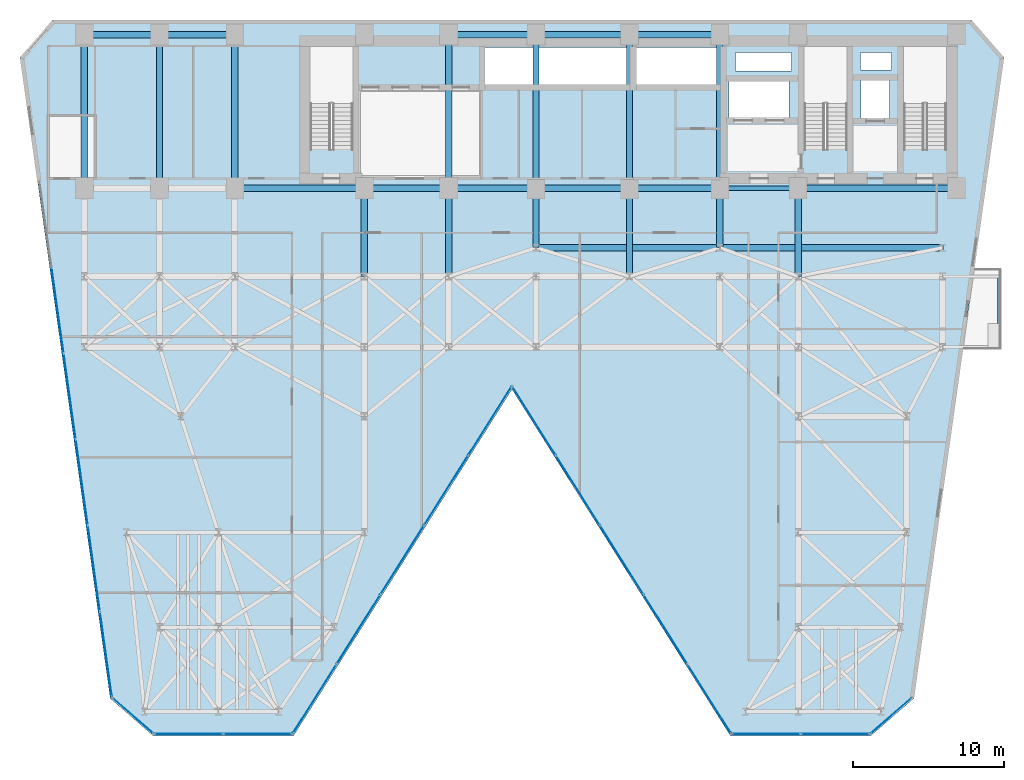
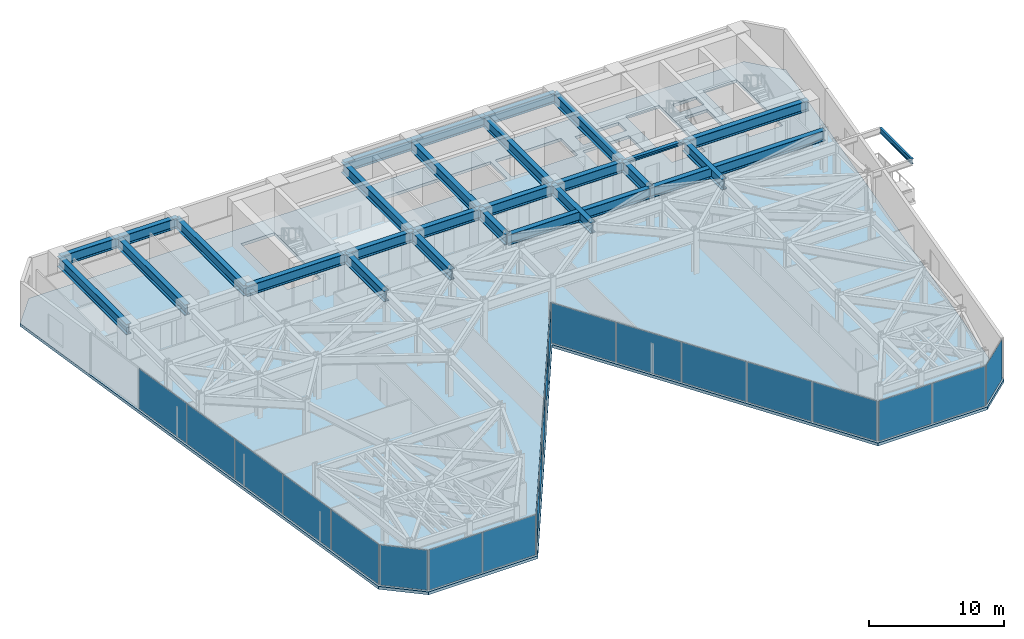
# One storey, part 18 of 24: 28 beams, 21 plates, 1 slab, 7 elements without a shape of their own.
"""IFC4 building model written with IfcOpenShell, lengths in metres."""

from ifc_helpers import new_model, si_unit, direction, frame, origin, origin_2d, place, context, subcontext, project, spatial, polyline, rectangle, i_section, outline, extrude, material, layer, layer_set, material_profile, profile_set, type_object, element, aggregate, save


model = new_model("IFC4")

# Units and contexts
model_context = context("Model", 3, precision=1e-05, world=origin(), true_north=direction((0.0, 1.0)))
body_context = subcontext(model_context, "Body", "Model", "MODEL_VIEW")
ifc_project = project(units=[si_unit("LENGTHUNIT", "METRE"), si_unit("AREAUNIT", "SQUARE_METRE"), si_unit("VOLUMEUNIT", "CUBIC_METRE"), si_unit("PLANEANGLEUNIT", "RADIAN"), si_unit("MASSUNIT", "GRAM", prefix="KILO")], contexts=[model_context])

# Site, building, storey
site_placement = place(None, origin())
site = spatial("IfcSite", under=ifc_project, at=site_placement, CompositionType="ELEMENT")
building_placement = place(site_placement, origin())
building = spatial("IfcBuilding", under=site, at=building_placement, Name="Kravanh Interchange Tower", CompositionType="ELEMENT")
storey_placement = place(building_placement, frame((0.0, 0.0, 77.5)))
storey = spatial("IfcBuildingStorey", under=building, at=storey_placement, Name="L18", CompositionType="ELEMENT", Elevation=77.5)

# Beams
ifc_material_1 = material(Name="Structural Steel S355", Category="steel")
ifc_material_profile_1 = material_profile(ifc_material_1, i_section(OverallWidth=0.41796875, OverallDepth=0.927001953125, WebThickness=0.019287109375, FlangeThickness=0.031982421875, FilletRadius=0.028076171875, at=origin_2d()), Name="W36X231")
ifc_profile_set_1 = profile_set([ifc_material_profile_1], Name="Structural Steel S355")
beam_type_1 = type_object("IfcBeamType", Name="Floor Beam W36X231 Structural Steel S355", PredefinedType="BEAM", material=ifc_profile_set_1)
beam_1_placement = place(storey_placement, frame((66.5, 37.35009765625, 3.276611328125), z_axis=(-1.0, 0.0, 0.0), x_axis=(0.0, -1.0, 0.0)))
element("IfcBeam", 1, at=beam_1_placement, inside=storey, type_object=beam_type_1, Name="L18 Primary Floor Girder 5", PredefinedType="BEAM", context=body_context, shape_type="SweptSolid", body=[
    extrude(i_section(OverallWidth=0.41796875, OverallDepth=0.927001953125, WebThickness=0.019287109375, FlangeThickness=0.031982421875, FilletRadius=0.028076171875, at=origin_2d()), origin(), (0.0, 0.0, 1.0), 10.5),
])
beam_2_placement = place(storey_placement, frame((56.0, 37.35009765625, 3.276611328125), z_axis=(0.0, -1.0, 0.0), x_axis=(1.0, 0.0, 0.0)))
element("IfcBeam", 2, at=beam_2_placement, inside=storey, type_object=beam_type_1, Name="L18 Primary Floor Girder 7", PredefinedType="BEAM", context=body_context, shape_type="SweptSolid", body=[
    extrude(i_section(OverallWidth=0.41796875, OverallDepth=0.927001953125, WebThickness=0.019287109375, FlangeThickness=0.031982421875, FilletRadius=0.028076171875, at=origin_2d()), origin(), (0.0, 0.0, 1.0), 5.85009765625),
])
beam_3_placement = place(storey_placement, frame((50.800048828125, 47.550048828125, 3.276611328125), z_axis=(-1.0, 0.0, 0.0), x_axis=(0.0, -1.0, 0.0)))
element("IfcBeam", 3, at=beam_3_placement, inside=storey, type_object=beam_type_1, Name="L18 Primary Floor Girder 8", PredefinedType="BEAM", context=body_context, shape_type="SweptSolid", body=[
    extrude(i_section(OverallWidth=0.41796875, OverallDepth=0.927001953125, WebThickness=0.019287109375, FlangeThickness=0.031982421875, FilletRadius=0.028076171875, at=origin_2d()), origin(), (0.0, 0.0, 1.0), 6.0),
])
beam_4_placement = place(storey_placement, frame((50.800048828125, 47.550048828125, 3.276611328125), z_axis=(0.0, -1.0, 0.0), x_axis=(1.0, 0.0, 0.0)))
element("IfcBeam", 4, at=beam_4_placement, inside=storey, type_object=beam_type_1, Name="L18 Primary Floor Girder 9", PredefinedType="BEAM", context=body_context, shape_type="SweptSolid", body=[
    extrude(i_section(OverallWidth=0.41796875, OverallDepth=0.927001953125, WebThickness=0.019287109375, FlangeThickness=0.031982421875, FilletRadius=0.028076171875, at=origin_2d()), origin(), (0.0, 0.0, 1.0), 10.199951171875),
])
beam_5_placement = place(storey_placement, frame((50.800048828125, 37.35009765625, 3.276611328125), z_axis=(0.0, -1.0, 0.0), x_axis=(1.0, 0.0, 0.0)))
element("IfcBeam", 5, at=beam_5_placement, inside=storey, type_object=beam_type_1, Name="L18 Primary Floor Girder 10", PredefinedType="BEAM", context=body_context, shape_type="SweptSolid", body=[
    extrude(i_section(OverallWidth=0.41796875, OverallDepth=0.927001953125, WebThickness=0.019287109375, FlangeThickness=0.031982421875, FilletRadius=0.028076171875, at=origin_2d()), origin(), (0.0, 0.0, 1.0), 3.9501953125),
])
beam_6_placement = place(storey_placement, frame((50.800048828125, 37.35009765625, 3.276611328125), z_axis=(-1.0, 0.0, 0.0), x_axis=(0.0, -1.0, 0.0)))
element("IfcBeam", 6, at=beam_6_placement, inside=storey, type_object=beam_type_1, Name="L18 Primary Floor Girder 11", PredefinedType="BEAM", context=body_context, shape_type="SweptSolid", body=[
    extrude(i_section(OverallWidth=0.41796875, OverallDepth=0.927001953125, WebThickness=0.019287109375, FlangeThickness=0.031982421875, FilletRadius=0.028076171875, at=origin_2d()), origin(), (0.0, 0.0, 1.0), 6.0),
])
beam_7_placement = place(storey_placement, frame((44.800048828125, 37.35009765625, 3.276611328125), z_axis=(0.0, -1.0, 0.0), x_axis=(1.0, 0.0, 0.0)))
element("IfcBeam", 7, at=beam_7_placement, inside=storey, type_object=beam_type_1, Name="L18 Primary Floor Girder 12", PredefinedType="BEAM", context=body_context, shape_type="SweptSolid", body=[
    extrude(i_section(OverallWidth=0.41796875, OverallDepth=0.927001953125, WebThickness=0.019287109375, FlangeThickness=0.031982421875, FilletRadius=0.028076171875, at=origin_2d()), origin(), (0.0, 0.0, 1.0), 5.85009765625),
])
beam_8_placement = place(storey_placement, frame((44.800048828125, 37.35009765625, 3.276611328125), z_axis=(-1.0, 0.0, 0.0), x_axis=(0.0, -1.0, 0.0)))
element("IfcBeam", 8, at=beam_8_placement, inside=storey, type_object=beam_type_1, Name="L18 Primary Floor Girder 13", PredefinedType="BEAM", context=body_context, shape_type="SweptSolid", body=[
    extrude(i_section(OverallWidth=0.41796875, OverallDepth=0.927001953125, WebThickness=0.019287109375, FlangeThickness=0.031982421875, FilletRadius=0.028076171875, at=origin_2d()), origin(), (0.0, 0.0, 1.0), 6.199951171875),
])
beam_9_placement = place(storey_placement, frame((44.800048828125, 37.35009765625, 3.276611328125), z_axis=(0.0, 1.0, 0.0), x_axis=(-1.0, 0.0, 0.0)))
element("IfcBeam", 9, at=beam_9_placement, inside=storey, type_object=beam_type_1, Name="L18 Primary Floor Girder 14", PredefinedType="BEAM", context=body_context, shape_type="SweptSolid", body=[
    extrude(i_section(OverallWidth=0.41796875, OverallDepth=0.927001953125, WebThickness=0.019287109375, FlangeThickness=0.031982421875, FilletRadius=0.028076171875, at=origin_2d()), origin(), (0.0, 0.0, 1.0), 10.199951171875),
])
beam_10_placement = place(storey_placement, frame((44.800048828125, 47.550048828125, 3.276611328125), z_axis=(-1.0, 0.0, 0.0), x_axis=(0.0, -1.0, 0.0)))
element("IfcBeam", 10, at=beam_10_placement, inside=storey, type_object=beam_type_1, Name="L18 Primary Floor Girder 15", PredefinedType="BEAM", context=body_context, shape_type="SweptSolid", body=[
    extrude(i_section(OverallWidth=0.41796875, OverallDepth=0.927001953125, WebThickness=0.019287109375, FlangeThickness=0.031982421875, FilletRadius=0.028076171875, at=origin_2d()), origin(), (0.0, 0.0, 1.0), 6.199951171875),
])
beam_11_placement = place(storey_placement, frame((38.60009765625, 37.35009765625, 3.276611328125), z_axis=(0.0, -1.0, 0.0), x_axis=(1.0, 0.0, 0.0)))
element("IfcBeam", 11, at=beam_11_placement, inside=storey, type_object=beam_type_1, Name="L18 Primary Floor Girder 16", PredefinedType="BEAM", context=body_context, shape_type="SweptSolid", body=[
    extrude(i_section(OverallWidth=0.41796875, OverallDepth=0.927001953125, WebThickness=0.019287109375, FlangeThickness=0.031982421875, FilletRadius=0.028076171875, at=origin_2d()), origin(), (0.0, 0.0, 1.0), 3.9501953125),
])
beam_12_placement = place(storey_placement, frame((38.60009765625, 37.35009765625, 3.276611328125), z_axis=(-1.0, 0.0, 0.0), x_axis=(0.0, -1.0, 0.0)))
element("IfcBeam", 12, at=beam_12_placement, inside=storey, type_object=beam_type_1, Name="L18 Primary Floor Girder 17", PredefinedType="BEAM", context=body_context, shape_type="SweptSolid", body=[
    extrude(i_section(OverallWidth=0.41796875, OverallDepth=0.927001953125, WebThickness=0.019287109375, FlangeThickness=0.031982421875, FilletRadius=0.028076171875, at=origin_2d()), origin(), (0.0, 0.0, 1.0), 5.800048828125),
])
beam_13_placement = place(storey_placement, frame((38.60009765625, 37.35009765625, 3.276611328125), z_axis=(0.0, 1.0, 0.0), x_axis=(-1.0, 0.0, 0.0)))
element("IfcBeam", 13, at=beam_13_placement, inside=storey, type_object=beam_type_1, Name="L18 Primary Floor Girder 18", PredefinedType="BEAM", context=body_context, shape_type="SweptSolid", body=[
    extrude(i_section(OverallWidth=0.41796875, OverallDepth=0.927001953125, WebThickness=0.019287109375, FlangeThickness=0.031982421875, FilletRadius=0.028076171875, at=origin_2d()), origin(), (0.0, 0.0, 1.0), 10.199951171875),
])
beam_14_placement = place(storey_placement, frame((38.60009765625, 47.550048828125, 3.276611328125), z_axis=(-1.0, 0.0, 0.0), x_axis=(0.0, -1.0, 0.0)))
element("IfcBeam", 14, at=beam_14_placement, inside=storey, type_object=beam_type_1, Name="L18 Primary Floor Girder 19", PredefinedType="BEAM", context=body_context, shape_type="SweptSolid", body=[
    extrude(i_section(OverallWidth=0.41796875, OverallDepth=0.927001953125, WebThickness=0.019287109375, FlangeThickness=0.031982421875, FilletRadius=0.028076171875, at=origin_2d()), origin(), (0.0, 0.0, 1.0), 5.800048828125),
])
beam_15_placement = place(storey_placement, frame((32.800048828125, 37.35009765625, 3.276611328125), z_axis=(-1.0, 0.0, 0.0), x_axis=(0.0, -1.0, 0.0)))
element("IfcBeam", 15, at=beam_15_placement, inside=storey, type_object=beam_type_1, Name="L18 Primary Floor Girder 20", PredefinedType="BEAM", context=body_context, shape_type="SweptSolid", body=[
    extrude(i_section(OverallWidth=0.41796875, OverallDepth=0.927001953125, WebThickness=0.019287109375, FlangeThickness=0.031982421875, FilletRadius=0.028076171875, at=origin_2d()), origin(), (0.0, 0.0, 1.0), 5.60009765625),
])
beam_16_placement = place(storey_placement, frame((32.800048828125, 37.35009765625, 3.276611328125), z_axis=(0.0, -1.0, 0.0), x_axis=(1.0, 0.0, 0.0)))
element("IfcBeam", 16, at=beam_16_placement, inside=storey, type_object=beam_type_1, Name="L18 Primary Floor Girder 21", PredefinedType="BEAM", context=body_context, shape_type="SweptSolid", body=[
    extrude(i_section(OverallWidth=0.41796875, OverallDepth=0.927001953125, WebThickness=0.019287109375, FlangeThickness=0.031982421875, FilletRadius=0.028076171875, at=origin_2d()), origin(), (0.0, 0.0, 1.0), 5.85009765625),
])
beam_17_placement = place(storey_placement, frame((32.800048828125, 37.35009765625, 3.276611328125), z_axis=(0.0, 1.0, 0.0), x_axis=(-1.0, 0.0, 0.0)))
element("IfcBeam", 17, at=beam_17_placement, inside=storey, type_object=beam_type_1, Name="L18 Primary Floor Girder 22", PredefinedType="BEAM", context=body_context, shape_type="SweptSolid", body=[
    extrude(i_section(OverallWidth=0.41796875, OverallDepth=0.927001953125, WebThickness=0.019287109375, FlangeThickness=0.031982421875, FilletRadius=0.028076171875, at=origin_2d()), origin(), (0.0, 0.0, 1.0), 10.199951171875),
])
beam_18_placement = place(storey_placement, frame((27.199951171875, 37.35009765625, 3.276611328125), z_axis=(0.0, -1.0, 0.0), x_axis=(1.0, 0.0, 0.0)))
element("IfcBeam", 18, at=beam_18_placement, inside=storey, type_object=beam_type_1, Name="L18 Primary Floor Girder 24", PredefinedType="BEAM", context=body_context, shape_type="SweptSolid", body=[
    extrude(i_section(OverallWidth=0.41796875, OverallDepth=0.927001953125, WebThickness=0.019287109375, FlangeThickness=0.031982421875, FilletRadius=0.028076171875, at=origin_2d()), origin(), (0.0, 0.0, 1.0), 5.85009765625),
])
beam_19_placement = place(storey_placement, frame((27.199951171875, 37.35009765625, 3.276611328125), z_axis=(-1.0, 0.0, 0.0), x_axis=(0.0, -1.0, 0.0)))
element("IfcBeam", 19, at=beam_19_placement, inside=storey, type_object=beam_type_1, Name="L18 Primary Floor Girder 25", PredefinedType="BEAM", context=body_context, shape_type="SweptSolid", body=[
    extrude(i_section(OverallWidth=0.41796875, OverallDepth=0.927001953125, WebThickness=0.019287109375, FlangeThickness=0.031982421875, FilletRadius=0.028076171875, at=origin_2d()), origin(), (0.0, 0.0, 1.0), 8.599853515625),
])
beam_20_placement = place(storey_placement, frame((18.60009765625, 37.35009765625, 3.276611328125), z_axis=(0.0, 1.0, 0.0), x_axis=(-1.0, 0.0, 0.0)))
element("IfcBeam", 20, at=beam_20_placement, inside=storey, type_object=beam_type_1, Name="L18 Primary Floor Girder 30", PredefinedType="BEAM", context=body_context, shape_type="SweptSolid", body=[
    extrude(i_section(OverallWidth=0.41796875, OverallDepth=0.927001953125, WebThickness=0.019287109375, FlangeThickness=0.031982421875, FilletRadius=0.028076171875, at=origin_2d()), origin(), (0.0, 0.0, 1.0), 10.199951171875),
])
beam_21_placement = place(storey_placement, frame((18.60009765625, 47.550048828125, 3.276611328125), z_axis=(-1.0, 0.0, 0.0), x_axis=(0.0, -1.0, 0.0)))
element("IfcBeam", 21, at=beam_21_placement, inside=storey, type_object=beam_type_1, Name="L18 Primary Floor Girder 31", PredefinedType="BEAM", context=body_context, shape_type="SweptSolid", body=[
    extrude(i_section(OverallWidth=0.41796875, OverallDepth=0.927001953125, WebThickness=0.019287109375, FlangeThickness=0.031982421875, FilletRadius=0.028076171875, at=origin_2d()), origin(), (0.0, 0.0, 1.0), 5.0),
])
beam_22_placement = place(storey_placement, frame((13.60009765625, 37.35009765625, 3.276611328125), z_axis=(0.0, 1.0, 0.0), x_axis=(-1.0, 0.0, 0.0)))
element("IfcBeam", 22, at=beam_22_placement, inside=storey, type_object=beam_type_1, Name="L18 Primary Floor Girder 34", PredefinedType="BEAM", context=body_context, shape_type="SweptSolid", body=[
    extrude(i_section(OverallWidth=0.41796875, OverallDepth=0.927001953125, WebThickness=0.019287109375, FlangeThickness=0.031982421875, FilletRadius=0.028076171875, at=origin_2d()), origin(), (0.0, 0.0, 1.0), 10.199951171875),
])
beam_23_placement = place(storey_placement, frame((13.60009765625, 47.550048828125, 3.276611328125), z_axis=(-1.0, 0.0, 0.0), x_axis=(0.0, -1.0, 0.0)))
element("IfcBeam", 23, at=beam_23_placement, inside=storey, type_object=beam_type_1, Name="L18 Primary Floor Girder 35", PredefinedType="BEAM", context=body_context, shape_type="SweptSolid", body=[
    extrude(i_section(OverallWidth=0.41796875, OverallDepth=0.927001953125, WebThickness=0.019287109375, FlangeThickness=0.031982421875, FilletRadius=0.028076171875, at=origin_2d()), origin(), (0.0, 0.0, 1.0), 5.0),
])
beam_24_placement = place(storey_placement, frame((8.60009765625, 37.35009765625, 3.276611328125), z_axis=(0.0, 1.0, 0.0), x_axis=(-1.0, 0.0, 0.0)))
element("IfcBeam", 24, at=beam_24_placement, inside=storey, type_object=beam_type_1, Name="L18 Primary Floor Girder 37", PredefinedType="BEAM", context=body_context, shape_type="SweptSolid", body=[
    extrude(i_section(OverallWidth=0.41796875, OverallDepth=0.927001953125, WebThickness=0.019287109375, FlangeThickness=0.031982421875, FilletRadius=0.028076171875, at=origin_2d()), origin(), (0.0, 0.0, 1.0), 10.199951171875),
])
beam_25_placement = place(storey_placement, frame((38.60009765625, 33.39990234375, 3.276611328125), z_axis=(1.0, 0.0, 0.0), x_axis=(0.0, 1.0, 0.0)))
element("IfcBeam", 25, at=beam_25_placement, inside=storey, type_object=beam_type_1, Name="L18 Primary Floor Girder 145", PredefinedType="BEAM", context=body_context, shape_type="SweptSolid", body=[
    extrude(i_section(OverallWidth=0.41796875, OverallDepth=0.927001953125, WebThickness=0.019287109375, FlangeThickness=0.031982421875, FilletRadius=0.028076171875, at=origin_2d()), origin(), (0.0, 0.0, 1.0), 12.199951171875),
])
beam_26_placement = place(storey_placement, frame((50.800048828125, 33.39990234375, 3.276611328125), z_axis=(1.0, 0.0, 0.0), x_axis=(0.0, 1.0, 0.0)))
element("IfcBeam", 26, at=beam_26_placement, inside=storey, type_object=beam_type_1, Name="L18 Primary Floor Girder 146", PredefinedType="BEAM", context=body_context, shape_type="SweptSolid", body=[
    extrude(i_section(OverallWidth=0.41796875, OverallDepth=0.927001953125, WebThickness=0.019287109375, FlangeThickness=0.031982421875, FilletRadius=0.028076171875, at=origin_2d()), origin(), (0.0, 0.0, 1.0), 14.800048828125),
])
ifc_material_2 = material(Name="Structural Steel S355", Category="steel")
ifc_material_profile_2 = material_profile(ifc_material_2, i_section(OverallWidth=0.18994140625, OverallDepth=0.45703125, WebThickness=0.009033203125, FlangeThickness=0.014404296875, FilletRadius=0.01806640625, at=origin_2d()), Name="W18X50")
ifc_profile_set_2 = profile_set([ifc_material_profile_2], Name="Structural Steel S355")
beam_type_2 = type_object("IfcBeamType", Name="Floor Joist W18X50 Structural Steel S355", PredefinedType="JOIST", material=ifc_profile_set_2)
beam_27_placement = place(storey_placement, frame((69.330078125, 26.800048828125, 3.511474609375), z_axis=(0.0, 1.0, 0.0), x_axis=(-1.0, 0.0, 0.0)))
element("IfcBeam", 27, at=beam_27_placement, inside=storey, type_object=beam_type_2, Name="L18 Balcony Edge Tie Beam E", PredefinedType="JOIST", context=body_context, shape_type="SweptSolid", body=[
    extrude(i_section(OverallWidth=0.18994140625, OverallDepth=0.45703125, WebThickness=0.009033203125, FlangeThickness=0.014404296875, FilletRadius=0.01806640625, at=origin_2d()), origin(), (0.0, 0.0, 1.0), 4.699951171875),
])
ifc_material_3 = material(Name="Structural Steel S355", Category="steel")
ifc_material_profile_3 = material_profile(ifc_material_3, i_section(OverallWidth=0.304931640625, OverallDepth=0.306884765625, WebThickness=0.010009765625, FlangeThickness=0.015380859375, FilletRadius=0.014892578125, at=origin_2d()), Name="W12X65")
ifc_profile_set_3 = profile_set([ifc_material_profile_3], Name="Structural Steel S355")
beam_type_3 = type_object("IfcBeamType", Name="Floor Lintel W12X65 Structural Steel S355", PredefinedType="LINTEL", material=ifc_profile_set_3)
beam_28_placement = place(storey_placement, frame((50.800048828125, 37.35009765625, 3.58642578125), z_axis=(1.0, 0.0, 0.0), x_axis=(0.0, 1.0, 0.0)))
element("IfcBeam", 28, at=beam_28_placement, inside=storey, type_object=beam_type_3, Name="L18 Core Coupling Lintel 1", PredefinedType="LINTEL", context=body_context, shape_type="SweptSolid", body=[
    extrude(i_section(OverallWidth=0.304931640625, OverallDepth=0.306884765625, WebThickness=0.010009765625, FlangeThickness=0.015380859375, FilletRadius=0.014892578125, at=origin_2d()), origin(), (0.0, 0.0, 1.0), 5.199951171875),
])

# Slab
ifc_material_4 = material(Name="Concrete C50/60", Category="concrete")
ifc_layer_1 = layer(ifc_material_4, 0.260009765625)
ifc_layer_set_1 = layer_set([ifc_layer_1], Name="Composite Floor Slab Concrete C50/60 260mm")
slab_type = type_object("IfcSlabType", Name="Composite Floor Slab Concrete C50/60 260mm", PredefinedType="FLOOR", material=ifc_layer_set_1)
slab_placement = place(storey_placement, frame((0.0, 0.0, -0.260009765625)))
element("IfcSlab", 29, at=slab_placement, inside=storey, type_object=slab_type, Name="L18 Structural Floor Slab", PredefinedType="FLOOR", context=body_context, shape_type="SweptSolid", body=[
    extrude(outline(polyline([(10.327880859375, 3.4755859375), (13.17578125, 1.0), (22.5, 1.0), (37.0, 24.0), (51.5, 1.0), (60.82421875, 1.0), (63.672119140625, 3.4755859375), (69.652099609375, 46.0244140625), (67.5, 48.5), (6.5, 48.5), (4.347900390625, 46.0244140625), (10.327880859375, 3.4755859375)]), holes=[polyline([(65.85009765625, 39.925048828125), (65.85009765625, 46.75), (63.0, 46.75), (63.0, 39.925048828125), (65.85009765625, 39.925048828125)]), polyline([(59.25, 39.925048828125), (59.25, 46.75), (56.39990234375, 46.75), (56.39990234375, 39.925048828125), (59.25, 39.925048828125)]), polyline([(26.449951171875, 39.925048828125), (26.449951171875, 46.75), (23.60009765625, 46.75), (23.60009765625, 39.925048828125), (26.449951171875, 39.925048828125)]), polyline([(35.179931640625, 44.219970703125), (44.840087890625, 44.219970703125), (44.840087890625, 46.699951171875), (35.179931640625, 46.699951171875), (35.179931640625, 44.219970703125)]), polyline([(45.239990234375, 44.219970703125), (50.840087890625, 44.219970703125), (50.840087890625, 46.699951171875), (45.239990234375, 46.699951171875), (45.239990234375, 44.219970703125)]), polyline([(51.419921875, 42.02001953125), (55.3798828125, 42.02001953125), (55.3798828125, 44.47998046875), (51.419921875, 44.47998046875), (51.419921875, 42.02001953125)]), polyline([(60.179931640625, 41.97998046875), (62.06005859375, 41.97998046875), (62.06005859375, 44.52001953125), (60.179931640625, 44.52001953125), (60.179931640625, 41.97998046875)]), polyline([(60.14990234375, 45.199951171875), (62.199951171875, 45.199951171875), (62.199951171875, 46.35009765625), (60.14990234375, 46.35009765625), (60.14990234375, 45.199951171875)]), polyline([(51.85009765625, 45.14990234375), (55.550048828125, 45.14990234375), (55.550048828125, 46.35009765625), (51.85009765625, 46.35009765625), (51.85009765625, 45.14990234375)])]), origin(), (0.0, 0.0, 1.0), 0.260009765625),
])

# Curtain wall, plates
ifc_material_5 = material(Name="Anodised Bronze Aluminium", Category="aluminium")
ifc_layer_2 = layer(ifc_material_5, 0.179931640625)
ifc_layer_set_2 = layer_set([ifc_layer_2], Name="Unitised Curtain Wall System CW-Z1 Lower Office")
curtain_wall_type = type_object("IfcCurtainWallType", Name="Unitised Curtain Wall System CW-Z1 Lower Office", PredefinedType="NOTDEFINED", material=ifc_layer_set_2)
curtain_wall_1_placement = place(storey_placement, origin())
curtain_wall_1 = element("IfcCurtainWall", 30, at=curtain_wall_1_placement, inside=storey, type_object=curtain_wall_type, Name="L18 Unitised Curtain Wall CW-L18-01", PredefinedType="NOTDEFINED")
ifc_material_6 = material(Name="Low-E Laminated Architectural Glass", Category="glass")
ifc_layer_3 = layer(ifc_material_6, 0.028076171875)
ifc_layer_set_3 = layer_set([ifc_layer_3], Name="Solar-Control Double Glazing 28mm")
plate_type = type_object("IfcPlateType", Name="Solar-Control Double Glazing 28mm", PredefinedType="CURTAIN_PANEL", material=ifc_layer_set_3)
plate_1_placement = place(storey_placement, frame((10.03662109375, 6.409423828125, 0.06005859375), z_axis=(0.0, 0.0, 1.0), x_axis=(-0.139176538065, 0.990267585682, 0.0)))
plate_1 = element("IfcPlate", 31, at=plate_1_placement, type_object=plate_type, Name="CW-Z1 panel 1.1", PredefinedType="CURTAIN_PANEL", context=body_context, shape_type="SweptSolid", body=[
    extrude(rectangle(XDim=5.66162109375, YDim=0.028076171875, at=origin_2d()), origin(), (0.0, 0.0, 1.0), 3.6201171875),
])
plate_2_placement = place(storey_placement, frame((9.236572265625, 12.1025390625, 0.06005859375), z_axis=(0.0, 0.0, 1.0), x_axis=(-0.139176538065, 0.990267585682, 0.0)))
plate_2 = element("IfcPlate", 32, at=plate_2_placement, type_object=plate_type, Name="CW-Z1 panel 2.1", PredefinedType="CURTAIN_PANEL", context=body_context, shape_type="SweptSolid", body=[
    extrude(rectangle(XDim=5.69677734375, YDim=0.028076171875, at=origin_2d()), origin(), (0.0, 0.0, 1.0), 3.6201171875),
])
plate_3_placement = place(storey_placement, frame((8.433837890625, 17.813232421875, 0.06005859375), z_axis=(0.0, 0.0, 1.0), x_axis=(-0.139176538065, 0.990267585682, 0.0)))
plate_3 = element("IfcPlate", 33, at=plate_3_placement, type_object=plate_type, Name="CW-Z1 panel 3.1", PredefinedType="CURTAIN_PANEL", context=body_context, shape_type="SweptSolid", body=[
    extrude(rectangle(XDim=5.69677734375, YDim=0.028076171875, at=origin_2d()), origin(), (0.0, 0.0, 1.0), 3.6201171875),
])
plate_4_placement = place(storey_placement, frame((7.63134765625, 23.523681640625, 0.06005859375), z_axis=(0.0, 0.0, 1.0), x_axis=(-0.139176538065, 0.990267585682, 0.0)))
plate_4 = element("IfcPlate", 34, at=plate_4_placement, type_object=plate_type, Name="CW-Z1 panel 4.1", PredefinedType="CURTAIN_PANEL", context=body_context, shape_type="SweptSolid", body=[
    extrude(rectangle(XDim=5.69677734375, YDim=0.028076171875, at=origin_2d()), origin(), (0.0, 0.0, 1.0), 3.6201171875),
])
plate_5_placement = place(storey_placement, frame((6.828857421875, 29.234130859375, 0.06005859375), z_axis=(0.0, 0.0, 1.0), x_axis=(-0.139176538065, 0.990267585682, 0.0)))
plate_5 = element("IfcPlate", 35, at=plate_5_placement, type_object=plate_type, Name="CW-Z1 panel 5.1", PredefinedType="CURTAIN_PANEL", context=body_context, shape_type="SweptSolid", body=[
    extrude(rectangle(XDim=5.69677734375, YDim=0.028076171875, at=origin_2d()), origin(), (0.0, 0.0, 1.0), 3.6201171875),
])
aggregate(curtain_wall_1, [plate_1, plate_2, plate_3, plate_4, plate_5])

# Curtain wall, plate
curtain_wall_2_placement = place(storey_placement, origin())
curtain_wall_2 = element("IfcCurtainWall", 36, at=curtain_wall_2_placement, inside=storey, type_object=curtain_wall_type, Name="L18 Unitised Curtain Wall CW-L18-02", PredefinedType="NOTDEFINED")
plate_6_placement = place(storey_placement, frame((62.16943359375, 2.328369140625, 0.06005859375), z_axis=(0.0, 0.0, 1.0), x_axis=(-0.754708368999, -0.656060422341, 0.0)))
plate_6 = element("IfcPlate", 37, at=plate_6_placement, type_object=plate_type, Name="CW-Z1 panel 1.1", PredefinedType="CURTAIN_PANEL", context=body_context, shape_type="SweptSolid", body=[
    extrude(rectangle(XDim=3.543701171875, YDim=0.028076171875, at=origin_2d()), origin(), (0.0, 0.0, 1.0), 3.6201171875),
])
aggregate(curtain_wall_2, [plate_6])

# Curtain wall, plates
curtain_wall_3_placement = place(storey_placement, origin())
curtain_wall_3 = element("IfcCurtainWall", 38, at=curtain_wall_3_placement, inside=storey, type_object=curtain_wall_type, Name="L18 Unitised Curtain Wall CW-L18-03", PredefinedType="NOTDEFINED")
plate_7_placement = place(storey_placement, frame((58.45849609375, 1.1201171875, 0.06005859375), z_axis=(0.0, 0.0, 1.0), x_axis=(-1.0, 0.0, 0.0)))
plate_7 = element("IfcPlate", 39, at=plate_7_placement, type_object=plate_type, Name="CW-Z1 panel 1.1", PredefinedType="CURTAIN_PANEL", context=body_context, shape_type="SweptSolid", body=[
    extrude(rectangle(XDim=4.501708984375, YDim=0.028076171875, at=origin_2d()), origin(), (0.0, 0.0, 1.0), 3.6201171875),
])
plate_8_placement = place(storey_placement, frame((53.886962890625, 1.1201171875, 0.06005859375), z_axis=(0.0, 0.0, 1.0), x_axis=(-1.0, 0.0, 0.0)))
plate_8 = element("IfcPlate", 40, at=plate_8_placement, type_object=plate_type, Name="CW-Z1 panel 2.1", PredefinedType="CURTAIN_PANEL", context=body_context, shape_type="SweptSolid", body=[
    extrude(rectangle(XDim=4.501708984375, YDim=0.028076171875, at=origin_2d()), origin(), (0.0, 0.0, 1.0), 3.6201171875),
])
aggregate(curtain_wall_3, [plate_7, plate_8])

curtain_wall_4_placement = place(storey_placement, origin())
curtain_wall_4 = element("IfcCurtainWall", 41, at=curtain_wall_4_placement, inside=storey, type_object=curtain_wall_type, Name="L18 Unitised Curtain Wall CW-L18-04", PredefinedType="NOTDEFINED")
plate_9_placement = place(storey_placement, frame((50.100341796875, 3.4453125, 0.06005859375), z_axis=(0.0, 0.0, 1.0), x_axis=(-0.53330103728, 0.845925530786, 0.0)))
plate_9 = element("IfcPlate", 42, at=plate_9_placement, type_object=plate_type, Name="CW-Z1 panel 1.1", PredefinedType="CURTAIN_PANEL", context=body_context, shape_type="SweptSolid", body=[
    extrude(rectangle(XDim=5.357666015625, YDim=0.028076171875, at=origin_2d()), origin(), (0.0, 0.0, 1.0), 3.6201171875),
])
plate_10_placement = place(storey_placement, frame((47.1962890625, 8.051513671875, 0.06005859375), z_axis=(0.0, 0.0, 1.0), x_axis=(-0.53330103728, 0.845925530786, 0.0)))
plate_10 = element("IfcPlate", 43, at=plate_10_placement, type_object=plate_type, Name="CW-Z1 panel 2.1", PredefinedType="CURTAIN_PANEL", context=body_context, shape_type="SweptSolid", body=[
    extrude(rectangle(XDim=5.392578125, YDim=0.028076171875, at=origin_2d()), origin(), (0.0, 0.0, 1.0), 3.6201171875),
])
plate_11_placement = place(storey_placement, frame((44.283203125, 12.672607421875, 0.06005859375), z_axis=(0.0, 0.0, 1.0), x_axis=(-0.53330103728, 0.845925530786, 0.0)))
plate_11 = element("IfcPlate", 44, at=plate_11_placement, type_object=plate_type, Name="CW-Z1 panel 3.1", PredefinedType="CURTAIN_PANEL", context=body_context, shape_type="SweptSolid", body=[
    extrude(rectangle(XDim=5.392578125, YDim=0.028076171875, at=origin_2d()), origin(), (0.0, 0.0, 1.0), 3.6201171875),
])
plate_12_placement = place(storey_placement, frame((41.369873046875, 17.29345703125, 0.06005859375), z_axis=(0.0, 0.0, 1.0), x_axis=(-0.53330103728, 0.845925530786, 0.0)))
plate_12 = element("IfcPlate", 45, at=plate_12_placement, type_object=plate_type, Name="CW-Z1 panel 4.1", PredefinedType="CURTAIN_PANEL", context=body_context, shape_type="SweptSolid", body=[
    extrude(rectangle(XDim=5.392578125, YDim=0.028076171875, at=origin_2d()), origin(), (0.0, 0.0, 1.0), 3.6201171875),
])
plate_13_placement = place(storey_placement, frame((38.466064453125, 21.899658203125, 0.06005859375), z_axis=(0.0, 0.0, 1.0), x_axis=(-0.53330103728, 0.845925530786, 0.0)))
plate_13 = element("IfcPlate", 46, at=plate_13_placement, type_object=plate_type, Name="CW-Z1 panel 5.1", PredefinedType="CURTAIN_PANEL", context=body_context, shape_type="SweptSolid", body=[
    extrude(rectangle(XDim=5.357666015625, YDim=0.028076171875, at=origin_2d()), origin(), (0.0, 0.0, 1.0), 3.6201171875),
])
aggregate(curtain_wall_4, [plate_9, plate_10, plate_11, plate_12, plate_13])

curtain_wall_5_placement = place(storey_placement, origin())
curtain_wall_5 = element("IfcCurtainWall", 47, at=curtain_wall_5_placement, inside=storey, type_object=curtain_wall_type, Name="L18 Unitised Curtain Wall CW-L18-05", PredefinedType="NOTDEFINED")
plate_14_placement = place(storey_placement, frame((35.533935546875, 21.899658203125, 0.06005859375), z_axis=(0.0, 0.0, 1.0), x_axis=(-0.53330103728, -0.845925530786, 0.0)))
plate_14 = element("IfcPlate", 48, at=plate_14_placement, type_object=plate_type, Name="CW-Z1 panel 1.1", PredefinedType="CURTAIN_PANEL", context=body_context, shape_type="SweptSolid", body=[
    extrude(rectangle(XDim=5.357666015625, YDim=0.028076171875, at=origin_2d()), origin(), (0.0, 0.0, 1.0), 3.6201171875),
])
plate_15_placement = place(storey_placement, frame((32.630126953125, 17.29345703125, 0.06005859375), z_axis=(0.0, 0.0, 1.0), x_axis=(-0.53330103728, -0.845925530786, 0.0)))
plate_15 = element("IfcPlate", 49, at=plate_15_placement, type_object=plate_type, Name="CW-Z1 panel 2.1", PredefinedType="CURTAIN_PANEL", context=body_context, shape_type="SweptSolid", body=[
    extrude(rectangle(XDim=5.392578125, YDim=0.028076171875, at=origin_2d()), origin(), (0.0, 0.0, 1.0), 3.6201171875),
])
plate_16_placement = place(storey_placement, frame((29.716796875, 12.672607421875, 0.06005859375), z_axis=(0.0, 0.0, 1.0), x_axis=(-0.53330103728, -0.845925530786, 0.0)))
plate_16 = element("IfcPlate", 50, at=plate_16_placement, type_object=plate_type, Name="CW-Z1 panel 3.1", PredefinedType="CURTAIN_PANEL", context=body_context, shape_type="SweptSolid", body=[
    extrude(rectangle(XDim=5.392578125, YDim=0.028076171875, at=origin_2d()), origin(), (0.0, 0.0, 1.0), 3.6201171875),
])
plate_17_placement = place(storey_placement, frame((26.8037109375, 8.051513671875, 0.06005859375), z_axis=(0.0, 0.0, 1.0), x_axis=(-0.53330103728, -0.845925530786, 0.0)))
plate_17 = element("IfcPlate", 51, at=plate_17_placement, type_object=plate_type, Name="CW-Z1 panel 4.1", PredefinedType="CURTAIN_PANEL", context=body_context, shape_type="SweptSolid", body=[
    extrude(rectangle(XDim=5.392578125, YDim=0.028076171875, at=origin_2d()), origin(), (0.0, 0.0, 1.0), 3.6201171875),
])
plate_18_placement = place(storey_placement, frame((23.899658203125, 3.4453125, 0.06005859375), z_axis=(0.0, 0.0, 1.0), x_axis=(-0.53330103728, -0.845925530786, 0.0)))
plate_18 = element("IfcPlate", 52, at=plate_18_placement, type_object=plate_type, Name="CW-Z1 panel 5.1", PredefinedType="CURTAIN_PANEL", context=body_context, shape_type="SweptSolid", body=[
    extrude(rectangle(XDim=5.357666015625, YDim=0.028076171875, at=origin_2d()), origin(), (0.0, 0.0, 1.0), 3.6201171875),
])
aggregate(curtain_wall_5, [plate_14, plate_15, plate_16, plate_17, plate_18])

curtain_wall_6_placement = place(storey_placement, origin())
curtain_wall_6 = element("IfcCurtainWall", 53, at=curtain_wall_6_placement, inside=storey, type_object=curtain_wall_type, Name="L18 Unitised Curtain Wall CW-L18-06", PredefinedType="NOTDEFINED")
plate_19_placement = place(storey_placement, frame((20.113037109375, 1.1201171875, 0.06005859375), z_axis=(0.0, 0.0, 1.0), x_axis=(-1.0, 0.0, 0.0)))
plate_19 = element("IfcPlate", 54, at=plate_19_placement, type_object=plate_type, Name="CW-Z1 panel 1.1", PredefinedType="CURTAIN_PANEL", context=body_context, shape_type="SweptSolid", body=[
    extrude(rectangle(XDim=4.501708984375, YDim=0.028076171875, at=origin_2d()), origin(), (0.0, 0.0, 1.0), 3.6201171875),
])
plate_20_placement = place(storey_placement, frame((15.54150390625, 1.1201171875, 0.06005859375), z_axis=(0.0, 0.0, 1.0), x_axis=(-1.0, 0.0, 0.0)))
plate_20 = element("IfcPlate", 55, at=plate_20_placement, type_object=plate_type, Name="CW-Z1 panel 2.1", PredefinedType="CURTAIN_PANEL", context=body_context, shape_type="SweptSolid", body=[
    extrude(rectangle(XDim=4.501708984375, YDim=0.028076171875, at=origin_2d()), origin(), (0.0, 0.0, 1.0), 3.6201171875),
])
aggregate(curtain_wall_6, [plate_19, plate_20])

# Curtain wall, plate
curtain_wall_7_placement = place(storey_placement, origin())
curtain_wall_7 = element("IfcCurtainWall", 56, at=curtain_wall_7_placement, inside=storey, type_object=curtain_wall_type, Name="L18 Unitised Curtain Wall CW-L18-07", PredefinedType="NOTDEFINED")
plate_21_placement = place(storey_placement, frame((11.83056640625, 2.328369140625, 0.06005859375), z_axis=(0.0, 0.0, 1.0), x_axis=(-0.754708368999, 0.656060422341, 0.0)))
plate_21 = element("IfcPlate", 57, at=plate_21_placement, type_object=plate_type, Name="CW-Z1 panel 1.1", PredefinedType="CURTAIN_PANEL", context=body_context, shape_type="SweptSolid", body=[
    extrude(rectangle(XDim=3.543701171875, YDim=0.028076171875, at=origin_2d()), origin(), (0.0, 0.0, 1.0), 3.6201171875),
])
aggregate(curtain_wall_7, [plate_21])

save(model, "model.ifc")
